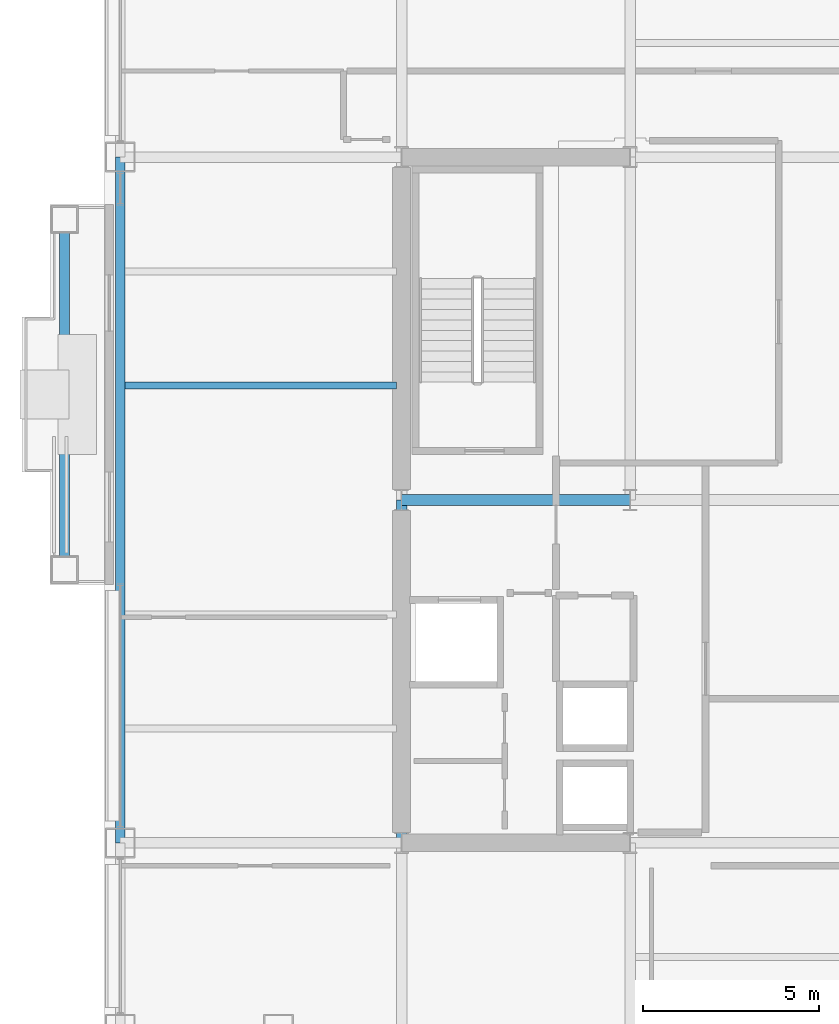
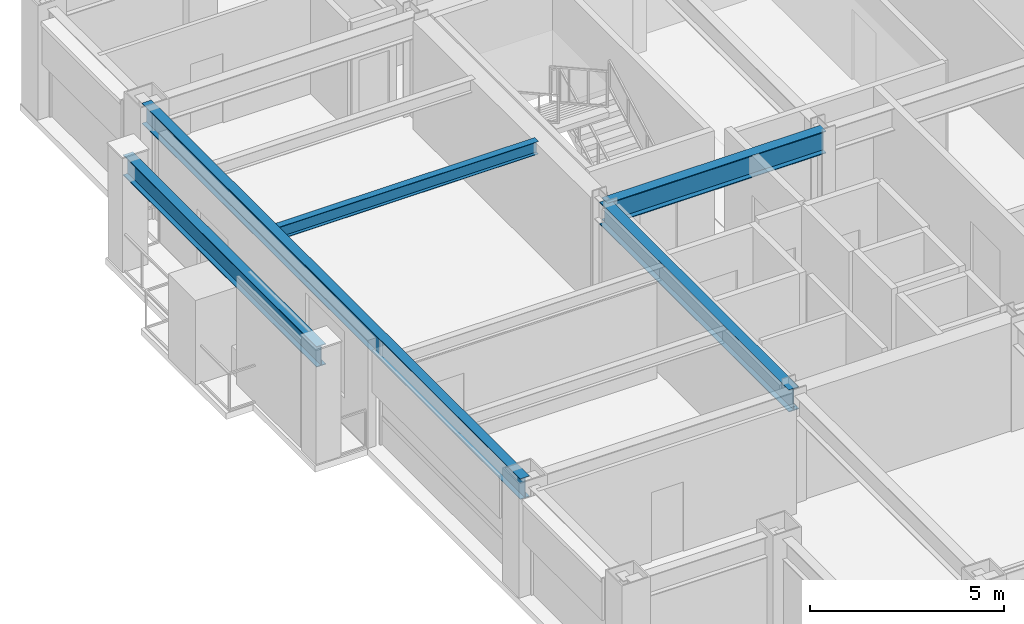
# One storey, part 8 of 29: 5 beams.
"""IFC4 building model written with IfcOpenShell, lengths in metres."""

from ifc_helpers import new_model, si_unit, direction, frame, origin, origin_2d, place, context, subcontext, project, spatial, i_section, extrude, material, material_profile, profile_set, type_object, element, save


model = new_model("IFC4")

# Units and contexts
model_context = context("Model", 3, precision=1e-05, world=origin(), true_north=direction((0.0, 1.0)))
body_context = subcontext(model_context, "Body", "Model", "MODEL_VIEW")
ifc_project = project(units=[si_unit("LENGTHUNIT", "METRE"), si_unit("AREAUNIT", "SQUARE_METRE"), si_unit("VOLUMEUNIT", "CUBIC_METRE"), si_unit("PLANEANGLEUNIT", "RADIAN"), si_unit("MASSUNIT", "GRAM", prefix="KILO")], contexts=[model_context])

# Site, building, storey
site_placement = place(None, origin())
site = spatial("IfcSite", under=ifc_project, at=site_placement, CompositionType="ELEMENT")
building_placement = place(site_placement, origin())
building = spatial("IfcBuilding", under=site, at=building_placement, Name="Brelmoor Portico Tower", CompositionType="ELEMENT")
storey_placement = place(building_placement, frame((0.0, 0.0, 95.39990234375)))
storey = spatial("IfcBuildingStorey", under=building, at=storey_placement, Name="L24", CompositionType="ELEMENT", Elevation=95.39990234375)

# Beams
ifc_material = material(Name="Steel Q355B", Category="steel")
ifc_material_profile_1 = material_profile(ifc_material, i_section(OverallWidth=0.199951171875, OverallDepth=0.39990234375, WebThickness=0.008056640625, FlangeThickness=0.012939453125, at=origin_2d()), Name="HN 400x200x8x13")
ifc_profile_set_1 = profile_set([ifc_material_profile_1], Name="Steel Q355B")
beam_type_1 = type_object("IfcBeamType", Name="BM-JS-400", PredefinedType="JOIST", material=ifc_profile_set_1)
beam_1_placement = place(storey_placement, frame((-22.409912109375, 3.25, 3.2001953125), z_axis=(1.0, 0.0, 0.0), x_axis=(0.0, 1.0, 0.0)))
element("IfcBeam", 1, at=beam_1_placement, inside=storey, type_object=beam_type_1, Name="L24 Secondary Wing Joist JS-W07", PredefinedType="JOIST", context=body_context, shape_type="SweptSolid", body=[
    extrude(i_section(OverallWidth=0.199951171875, OverallDepth=0.39990234375, WebThickness=0.008056640625, FlangeThickness=0.012939453125, at=origin_2d()), origin(), (0.0, 0.0, 1.0), 7.7099609375),
])
ifc_material_profile_2 = material_profile(ifc_material, i_section(OverallWidth=0.300048828125, OverallDepth=0.699951171875, WebThickness=0.012939453125, FlangeThickness=0.02392578125, at=origin_2d()), Name="HN 700x300x13x24")
ifc_profile_set_2 = profile_set([ifc_material_profile_2], Name="Steel Q355B")
beam_type_2 = type_object("IfcBeamType", Name="BM-PG-700", PredefinedType="BEAM", material=ifc_profile_set_2)
beam_2_placement = place(storey_placement, frame((-14.550048828125, -9.75, 3.050048828125), z_axis=(0.0, 1.0, 0.0), x_axis=(-1.0, 0.0, 0.0)))
element("IfcBeam", 2, at=beam_2_placement, inside=storey, type_object=beam_type_2, Name="L24 Primary Floor Girder PG-02", PredefinedType="BEAM", context=body_context, shape_type="SweptSolid", body=[
    extrude(i_section(OverallWidth=0.300048828125, OverallDepth=0.699951171875, WebThickness=0.012939453125, FlangeThickness=0.02392578125, at=origin_2d()), origin(), (0.0, 0.0, 1.0), 9.75),
])
beam_3_placement = place(storey_placement, frame((-14.550048828125, 0.0, 3.050048828125), z_axis=(1.0, 0.0, 0.0), x_axis=(0.0, 1.0, 0.0)))
element("IfcBeam", 3, at=beam_3_placement, inside=storey, type_object=beam_type_2, Name="L24 Primary Floor Girder PG-19", PredefinedType="BEAM", context=body_context, shape_type="SweptSolid", body=[
    extrude(i_section(OverallWidth=0.300048828125, OverallDepth=0.699951171875, WebThickness=0.012939453125, FlangeThickness=0.02392578125, at=origin_2d()), origin(), (0.0, 0.0, 1.0), 6.5),
])
ifc_material_profile_3 = material_profile(ifc_material, i_section(OverallWidth=0.280029296875, OverallDepth=0.64990234375, WebThickness=0.012939453125, FlangeThickness=0.02197265625, at=origin_2d()), Name="HN 650x280x13x22")
ifc_profile_set_3 = profile_set([ifc_material_profile_3], Name="Steel Q355B")
beam_type_3 = type_object("IfcBeamType", Name="BM-SP-650", PredefinedType="SPANDREL", material=ifc_profile_set_3)
beam_4_placement = place(storey_placement, frame((-22.550048828125, -9.75, 3.0751953125), z_axis=(0.0, 1.0, 0.0), x_axis=(-1.0, 0.0, 0.0)))
element("IfcBeam", 4, at=beam_4_placement, inside=storey, type_object=beam_type_3, Name="L24 Perimeter Spandrel Beam SP-16", PredefinedType="SPANDREL", context=body_context, shape_type="SweptSolid", body=[
    extrude(i_section(OverallWidth=0.280029296875, OverallDepth=0.64990234375, WebThickness=0.012939453125, FlangeThickness=0.02197265625, at=origin_2d()), origin(), (0.0, 0.0, 1.0), 19.5),
])
beam_5_placement = place(storey_placement, frame((-24.1298828125, -1.97998046875, 3.0751953125), z_axis=(0.0, 1.0, 0.0), x_axis=(-1.0, 0.0, 0.0)))
element("IfcBeam", 5, at=beam_5_placement, inside=storey, type_object=beam_type_3, Name="L24 Picture-Frame Perimeter Lintel Beam W1", PredefinedType="SPANDREL", context=body_context, shape_type="SweptSolid", body=[
    extrude(i_section(OverallWidth=0.280029296875, OverallDepth=0.64990234375, WebThickness=0.012939453125, FlangeThickness=0.02197265625, at=origin_2d()), origin(), (0.0, 0.0, 1.0), 9.9599609375),
])

save(model, "model.ifc")
